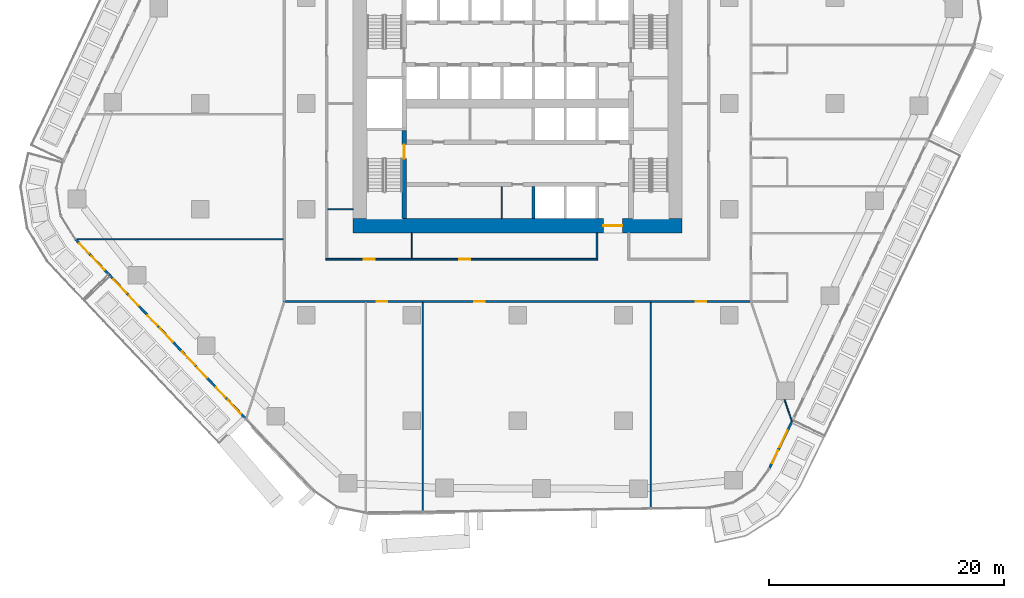
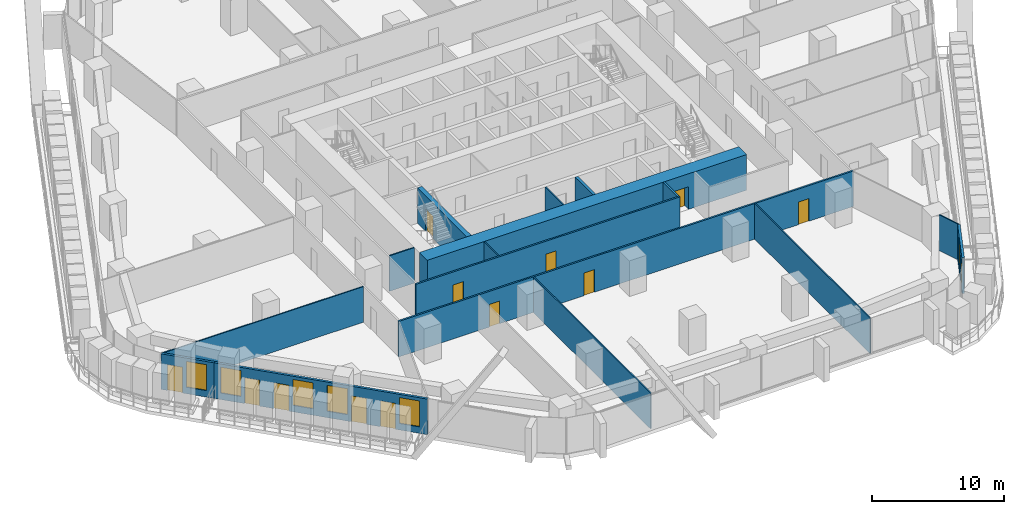
# One storey, part 12 of 24: 16 walls, 13 doors, 6 windows, 19 openings.
"""IFC4 building model written with IfcOpenShell, lengths in metres."""

from ifc_helpers import new_model, si_unit, direction, frame, frame_2d, origin, place, context, subcontext, project, spatial, rectangle, extrude, material, layer, layer_set, type_object, element, fill, save


model = new_model("IFC4")

# Units and contexts
model_context = context("Model", 3, precision=1e-05, world=origin(), true_north=direction((0.0, 1.0)))
body_context = subcontext(model_context, "Body", "Model", "MODEL_VIEW")
ifc_project = project(units=[si_unit("LENGTHUNIT", "METRE"), si_unit("AREAUNIT", "SQUARE_METRE"), si_unit("VOLUMEUNIT", "CUBIC_METRE"), si_unit("PLANEANGLEUNIT", "RADIAN"), si_unit("MASSUNIT", "GRAM", prefix="KILO")], contexts=[model_context])

# Site, building, storey
site_placement = place(None, origin())
site = spatial("IfcSite", under=ifc_project, at=site_placement, CompositionType="ELEMENT")
building_placement = place(site_placement, origin())
building = spatial("IfcBuilding", under=site, at=building_placement, Name="Dongbaek Canopy Tower", CompositionType="ELEMENT")
storey_placement = place(building_placement, frame((0.0, 0.0, 51.39990234375)))
storey = spatial("IfcBuildingStorey", under=building, at=storey_placement, Name="L08", CompositionType="ELEMENT", Elevation=51.39990234375)

# Wall, opening, door
ifc_material_1 = material(Name="Concrete C60/75", Category="concrete")
ifc_layer_1 = layer(ifc_material_1, 1.199951171875)
ifc_layer_set_1 = layer_set([ifc_layer_1], Name="Core outer wall 1200 Concrete C60/75")
wall_type_1 = type_object("IfcWallType", Name="Core outer wall 1200 Concrete C60/75", PredefinedType="SHEAR", material=ifc_layer_set_1)
wall_1_placement = place(storey_placement, frame((14.0, -10.39990234375, 0.0), z_axis=(0.0, 0.0, 1.0), x_axis=(-1.0, 0.0, 0.0)))
wall_1 = element("IfcWall", 1, at=wall_1_placement, inside=storey, type_object=wall_type_1, Name="Core wall", PredefinedType="SHEAR", context=body_context, shape_type="SweptSolid", body=[
    extrude(rectangle(XDim=28.0, YDim=1.199951171875, at=frame_2d((14.0, 0.0))), origin(), (0.0, 0.0, 1.0), 3.300048828125),
])
opening_1_placement = place(wall_1_placement, frame((5.10009765625, 0.0, 0.0)))
opening_1 = element("IfcOpeningElement", 2, at=opening_1_placement, cuts=wall_1, Name="Opening L08-D044", PredefinedType="OPENING", context=body_context, shape_type="SweptSolid", body=[
    extrude(rectangle(XDim=1.60009765625, YDim=2.10009765625, at=frame_2d((0.800048828125, 1.050048828125))), frame((0.0, 0.60986328125, 0.0), z_axis=(0.0, -1.0, 0.0), x_axis=(1.0, 0.0, 0.0)), (0.0, 0.0, 1.0), 1.219970703125),
])
ifc_material_2 = material(Name="Steel", Category="steel")
door_type_1 = type_object("IfcDoorType", Name="Core exit door 1600 x 2100", OperationType="DOUBLE_DOOR_SINGLE_SWING", PredefinedType="DOOR", material=ifc_material_2)
door_1_placement = place(opening_1_placement, origin())
door_1 = element("IfcDoor", 3, at=door_1_placement, inside=storey, type_object=door_type_1, Name="Core exit door", OperationType="DOUBLE_DOOR_SINGLE_SWING", OverallHeight=2.10009765625, OverallWidth=1.60009765625, PredefinedType="DOOR", context=body_context, shape_type="SweptSolid", body=[
    extrude(rectangle(XDim=1.60009765625, YDim=2.10009765625, at=frame_2d((0.800048828125, 1.050048828125))), frame((0.0, 0.02490234375, 0.0), z_axis=(0.0, -1.0, 0.0), x_axis=(1.0, 0.0, 0.0)), (0.0, 0.0, 1.0), 0.050048828125),
])
fill(opening_1, door_1)

# Wall, openings, doors
ifc_material_3 = material(Name="Gypsum board partition, steel stud, 2 x 15 mm fire board", Category="steel")
ifc_layer_2 = layer(ifc_material_3, 0.14990234375)
ifc_layer_set_2 = layer_set([ifc_layer_2], Name="Fire-rated partition 150 gypsum board")
wall_type_2 = type_object("IfcWallType", Name="Fire-rated partition 150 gypsum board", PredefinedType="PARTITIONING", material=ifc_layer_set_2)
wall_2_placement = place(storey_placement, frame((19.925048828125, -16.85009765625, 0.0), z_axis=(0.0, 0.0, 1.0), x_axis=(-1.0, 0.0, 0.0)))
wall_2 = element("IfcWall", 4, at=wall_2_placement, inside=storey, type_object=wall_type_2, Name="Corridor partition", PredefinedType="PARTITIONING", context=body_context, shape_type="SweptSolid", body=[
    extrude(rectangle(XDim=39.85009765625, YDim=0.14990234375, at=frame_2d((19.925048828125, 0.0))), origin(), (0.0, 0.0, 1.0), 3.300048828125),
])
opening_2_placement = place(wall_2_placement, frame((31.00830078125, 0.0, 0.0)))
opening_2 = element("IfcOpeningElement", 5, at=opening_2_placement, cuts=wall_2, Name="Opening L08-D003", PredefinedType="OPENING", context=body_context, shape_type="SweptSolid", body=[
    extrude(rectangle(XDim=0.89990234375, YDim=2.10009765625, at=frame_2d((0.449951171875, 1.050048828125))), frame((0.0, 0.0849609375, 0.0), z_axis=(0.0, -1.0, 0.0), x_axis=(1.0, 0.0, 0.0)), (0.0, 0.0, 1.0), 0.169921875),
])
opening_3_placement = place(wall_2_placement, frame((22.7041015625, 0.0, 0.0)))
opening_3 = element("IfcOpeningElement", 6, at=opening_3_placement, cuts=wall_2, Name="Opening L08-D004", PredefinedType="OPENING", context=body_context, shape_type="SweptSolid", body=[
    extrude(rectangle(XDim=0.89990234375, YDim=2.10009765625, at=frame_2d((0.449951171875, 1.050048828125))), frame((0.0, 0.0849609375, 0.0), z_axis=(0.0, -1.0, 0.0), x_axis=(1.0, 0.0, 0.0)), (0.0, 0.0, 1.0), 0.169921875),
])
opening_4_placement = place(wall_2_placement, frame((3.8876953125, 0.0, 0.0)))
opening_4 = element("IfcOpeningElement", 7, at=opening_4_placement, cuts=wall_2, Name="Opening L08-D005", PredefinedType="OPENING", context=body_context, shape_type="SweptSolid", body=[
    extrude(rectangle(XDim=0.89990234375, YDim=2.10009765625, at=frame_2d((0.449951171875, 1.050048828125))), frame((0.0, 0.0849609375, 0.0), z_axis=(0.0, -1.0, 0.0), x_axis=(1.0, 0.0, 0.0)), (0.0, 0.0, 1.0), 0.169921875),
])
ifc_material_4 = material(Name="Timber veneered door leaf", Category="wood")
door_type_2 = type_object("IfcDoorType", Name="Room door 900 x 2100", OperationType="SINGLE_SWING_LEFT", PredefinedType="DOOR", material=ifc_material_4)
door_2_placement = place(opening_2_placement, origin())
door_2 = element("IfcDoor", 8, at=door_2_placement, inside=storey, type_object=door_type_2, Name="Door L08-D003", OperationType="SINGLE_SWING_LEFT", OverallHeight=2.10009765625, OverallWidth=0.89990234375, PredefinedType="DOOR", context=body_context, shape_type="SweptSolid", body=[
    extrude(rectangle(XDim=0.89990234375, YDim=2.10009765625, at=frame_2d((0.449951171875, 1.050048828125))), frame((0.0, 0.02490234375, 0.0), z_axis=(0.0, -1.0, 0.0), x_axis=(1.0, 0.0, 0.0)), (0.0, 0.0, 1.0), 0.050048828125),
])
fill(opening_2, door_2)
door_3_placement = place(opening_3_placement, origin())
door_3 = element("IfcDoor", 9, at=door_3_placement, inside=storey, type_object=door_type_2, Name="Door L08-D004", OperationType="SINGLE_SWING_RIGHT", OverallHeight=2.10009765625, OverallWidth=0.89990234375, PredefinedType="DOOR", context=body_context, shape_type="SweptSolid", body=[
    extrude(rectangle(XDim=0.89990234375, YDim=2.10009765625, at=frame_2d((0.449951171875, 1.050048828125))), frame((0.0, 0.02490234375, 0.0), z_axis=(0.0, -1.0, 0.0), x_axis=(1.0, 0.0, 0.0)), (0.0, 0.0, 1.0), 0.050048828125),
])
fill(opening_3, door_3)
door_4_placement = place(opening_4_placement, origin())
door_4 = element("IfcDoor", 10, at=door_4_placement, inside=storey, type_object=door_type_2, Name="Door L08-D005", OperationType="SINGLE_SWING_LEFT", OverallHeight=2.10009765625, OverallWidth=0.89990234375, PredefinedType="DOOR", context=body_context, shape_type="SweptSolid", body=[
    extrude(rectangle(XDim=0.89990234375, YDim=2.10009765625, at=frame_2d((0.449951171875, 1.050048828125))), frame((0.0, 0.02490234375, 0.0), z_axis=(0.0, -1.0, 0.0), x_axis=(1.0, 0.0, 0.0)), (0.0, 0.0, 1.0), 0.050048828125),
])
fill(opening_4, door_4)

wall_3_placement = place(storey_placement, frame((-16.324951171875, -13.25, 0.0), z_axis=(0.0, 0.0, 1.0), x_axis=(1.0, 0.0, 0.0)))
wall_3 = element("IfcWall", 11, at=wall_3_placement, inside=storey, type_object=wall_type_2, Name="Corridor partition", PredefinedType="PARTITIONING", context=body_context, shape_type="SweptSolid", body=[
    extrude(rectangle(XDim=23.14990234375, YDim=0.14990234375, at=frame_2d((11.574951171875, 0.0))), origin(), (0.0, 0.0, 1.0), 3.300048828125),
])
opening_5_placement = place(wall_3_placement, frame((3.25, 0.0, 0.0)))
opening_5 = element("IfcOpeningElement", 12, at=opening_5_placement, cuts=wall_3, Name="Opening L08-D019", PredefinedType="OPENING", context=body_context, shape_type="SweptSolid", body=[
    extrude(rectangle(XDim=0.89990234375, YDim=2.10009765625, at=frame_2d((0.449951171875, 1.050048828125))), frame((0.0, 0.0849609375, 0.0), z_axis=(0.0, -1.0, 0.0), x_axis=(1.0, 0.0, 0.0)), (0.0, 0.0, 1.0), 0.169921875),
])
opening_6_placement = place(wall_3_placement, frame((11.375, 0.0, 0.0)))
opening_6 = element("IfcOpeningElement", 13, at=opening_6_placement, cuts=wall_3, Name="Opening L08-D020", PredefinedType="OPENING", context=body_context, shape_type="SweptSolid", body=[
    extrude(rectangle(XDim=0.89990234375, YDim=2.10009765625, at=frame_2d((0.449951171875, 1.050048828125))), frame((0.0, 0.0849609375, 0.0), z_axis=(0.0, -1.0, 0.0), x_axis=(1.0, 0.0, 0.0)), (0.0, 0.0, 1.0), 0.169921875),
])
door_5_placement = place(opening_5_placement, origin())
door_5 = element("IfcDoor", 14, at=door_5_placement, inside=storey, type_object=door_type_2, Name="Door L08-D019", OperationType="SINGLE_SWING_LEFT", OverallHeight=2.10009765625, OverallWidth=0.89990234375, PredefinedType="DOOR", context=body_context, shape_type="SweptSolid", body=[
    extrude(rectangle(XDim=0.89990234375, YDim=2.10009765625, at=frame_2d((0.449951171875, 1.050048828125))), frame((0.0, 0.02490234375, 0.0), z_axis=(0.0, -1.0, 0.0), x_axis=(1.0, 0.0, 0.0)), (0.0, 0.0, 1.0), 0.050048828125),
])
fill(opening_5, door_5)
door_6_placement = place(opening_6_placement, origin())
door_6 = element("IfcDoor", 15, at=door_6_placement, inside=storey, type_object=door_type_2, Name="Door L08-D020", OperationType="SINGLE_SWING_RIGHT", OverallHeight=2.10009765625, OverallWidth=0.89990234375, PredefinedType="DOOR", context=body_context, shape_type="SweptSolid", body=[
    extrude(rectangle(XDim=0.89990234375, YDim=2.10009765625, at=frame_2d((0.449951171875, 1.050048828125))), frame((0.0, 0.02490234375, 0.0), z_axis=(0.0, -1.0, 0.0), x_axis=(1.0, 0.0, 0.0)), (0.0, 0.0, 1.0), 0.050048828125),
])
fill(opening_6, door_6)

# Walls
wall_4_placement = place(storey_placement, frame((6.75, -13.175048828125, 0.0), z_axis=(0.0, 0.0, 1.0), x_axis=(0.0, 1.0, 0.0)))
element("IfcWall", 16, at=wall_4_placement, inside=storey, type_object=wall_type_2, Name="Corridor partition", PredefinedType="PARTITIONING", context=body_context, shape_type="SweptSolid", body=[
    extrude(rectangle(XDim=2.175048828125, YDim=0.14990234375, at=frame_2d((1.08740234375, 0.0))), origin(), (0.0, 0.0, 1.0), 3.300048828125),
])
ifc_material_5 = material(Name="Concrete C40/50", Category="concrete")
ifc_layer_3 = layer(ifc_material_5, 0.25)
ifc_layer_set_3 = layer_set([ifc_layer_3], Name="Lift shaft wall 250 Concrete C40/50")
wall_type_3 = type_object("IfcWallType", Name="Lift shaft wall 250 Concrete C40/50", PredefinedType="SOLIDWALL", material=ifc_layer_set_3)
wall_5_placement = place(storey_placement, frame((1.35009765625, -9.800048828125, 0.0), z_axis=(0.0, 0.0, 1.0), x_axis=(0.0, 1.0, 0.0)))
element("IfcWall", 17, at=wall_5_placement, inside=storey, type_object=wall_type_3, Name="Lift shaft wall", PredefinedType="SOLIDWALL", context=body_context, shape_type="SweptSolid", body=[
    extrude(rectangle(XDim=2.72509765625, YDim=0.25, at=frame_2d((1.362548828125, 0.0))), origin(), (0.0, 0.0, 1.0), 3.300048828125),
])
ifc_material_6 = material(Name="Gypsum board partition, steel stud, 2 x 12.5 mm board", Category="steel")
ifc_layer_4 = layer(ifc_material_6, 0.10009765625)
ifc_layer_set_4 = layer_set([ifc_layer_4], Name="Partition 100 gypsum board")
wall_type_4 = type_object("IfcWallType", Name="Partition 100 gypsum board", PredefinedType="PARTITIONING", material=ifc_layer_set_4)
wall_6_placement = place(storey_placement, frame((-37.593505859375, -11.54296875, 0.0), z_axis=(0.0, 0.0, 1.0), x_axis=(1.0, 0.0, 0.0)))
element("IfcWall", 18, at=wall_6_placement, inside=storey, type_object=wall_type_4, Name="Partition", PredefinedType="PARTITIONING", context=body_context, shape_type="SweptSolid", body=[
    extrude(rectangle(XDim=17.66845703125, YDim=0.10009765625, at=frame_2d((8.834228515625, 0.0))), origin(), (0.0, 0.0, 1.0), 3.300048828125),
])
wall_7_placement = place(storey_placement, frame((-16.175048828125, -9.0, 0.0), z_axis=(0.0, 0.0, 1.0), x_axis=(1.0, 0.0, 0.0)))
element("IfcWall", 19, at=wall_7_placement, inside=storey, type_object=wall_type_4, Name="Partition", PredefinedType="PARTITIONING", context=body_context, shape_type="SweptSolid", body=[
    extrude(rectangle(XDim=2.175048828125, YDim=0.10009765625, at=frame_2d((1.08740234375, 0.0))), origin(), (0.0, 0.0, 1.0), 3.300048828125),
])
wall_8_placement = place(storey_placement, frame((11.324951171875, -34.438232421875, 0.0), z_axis=(0.0, 0.0, 1.0), x_axis=(0.0, 1.0, 0.0)))
element("IfcWall", 20, at=wall_8_placement, inside=storey, type_object=wall_type_4, Name="Partition", PredefinedType="PARTITIONING", context=body_context, shape_type="SweptSolid", body=[
    extrude(rectangle(XDim=17.51318359375, YDim=0.10009765625, at=frame_2d((8.756591796875, 0.0))), origin(), (0.0, 0.0, 1.0), 3.300048828125),
])
wall_9_placement = place(storey_placement, frame((-8.0810546875, -34.721923828125, 0.0), z_axis=(0.0, 0.0, 1.0), x_axis=(0.0, 1.0, 0.0)))
element("IfcWall", 21, at=wall_9_placement, inside=storey, type_object=wall_type_4, Name="Partition", PredefinedType="PARTITIONING", context=body_context, shape_type="SweptSolid", body=[
    extrude(rectangle(XDim=17.796875, YDim=0.10009765625, at=frame_2d((8.8984375, 0.0))), origin(), (0.0, 0.0, 1.0), 3.300048828125),
])
wall_10_placement = place(storey_placement, frame((-9.0, -13.175048828125, 0.0), z_axis=(0.0, 0.0, 1.0), x_axis=(0.0, 1.0, 0.0)))
element("IfcWall", 22, at=wall_10_placement, inside=storey, type_object=wall_type_4, Name="Partition", PredefinedType="PARTITIONING", context=body_context, shape_type="SweptSolid", body=[
    extrude(rectangle(XDim=2.175048828125, YDim=0.10009765625, at=frame_2d((1.08740234375, 0.0))), origin(), (0.0, 0.0, 1.0), 3.300048828125),
])
wall_11_placement = place(storey_placement, frame((22.700927734375, -25.193115234375, 0.0), z_axis=(0.0, 0.0, 1.0), x_axis=(0.323521274284, -0.94622089656, 0.0)))
element("IfcWall", 23, at=wall_11_placement, inside=storey, type_object=wall_type_4, Name="Partition", PredefinedType="PARTITIONING", context=body_context, shape_type="SweptSolid", body=[
    extrude(rectangle(XDim=1.935546875, YDim=0.10009765625, at=frame_2d((0.9677734375, 0.0))), origin(), (0.0, 0.0, 1.0), 3.300048828125),
])
wall_12_placement = place(storey_placement, frame((-1.35009765625, -9.800048828125, 0.0), z_axis=(0.0, 0.0, 1.0), x_axis=(0.0, 1.0, 0.0)))
element("IfcWall", 24, at=wall_12_placement, inside=storey, type_object=wall_type_4, Name="Core partition", PredefinedType="PARTITIONING", context=body_context, shape_type="SweptSolid", body=[
    extrude(rectangle(XDim=2.72509765625, YDim=0.10009765625, at=frame_2d((1.362548828125, 0.0))), origin(), (0.0, 0.0, 1.0), 3.300048828125),
])

# Wall, opening, door
ifc_material_7 = material(Name="Concrete C60/75", Category="concrete")
ifc_layer_5 = layer(ifc_material_7, 0.39990234375)
ifc_layer_set_5 = layer_set([ifc_layer_5], Name="Stair wall 400 Concrete C60/75")
wall_type_5 = type_object("IfcWallType", Name="Stair wall 400 Concrete C60/75", PredefinedType="SHEAR", material=ifc_layer_set_5)
wall_13_placement = place(storey_placement, frame((-9.64990234375, -9.800048828125, 0.0), z_axis=(0.0, 0.0, 1.0), x_axis=(0.0, 1.0, 0.0)))
wall_13 = element("IfcWall", 25, at=wall_13_placement, inside=storey, type_object=wall_type_5, Name="Stair wall", PredefinedType="SHEAR", context=body_context, shape_type="SweptSolid", body=[
    extrude(rectangle(XDim=7.5, YDim=0.39990234375, at=frame_2d((3.75, 0.0))), origin(), (0.0, 0.0, 1.0), 3.300048828125),
])
opening_7_placement = place(wall_13_placement, frame((5.10009765625, 0.0, 0.0)))
opening_7 = element("IfcOpeningElement", 26, at=opening_7_placement, cuts=wall_13, Name="Opening L08-D053", PredefinedType="OPENING", context=body_context, shape_type="SweptSolid", body=[
    extrude(rectangle(XDim=1.199951171875, YDim=2.10009765625, at=frame_2d((0.60009765625, 1.050048828125))), frame((0.0, 0.2099609375, 0.0), z_axis=(0.0, -1.0, 0.0), x_axis=(1.0, 0.0, 0.0)), (0.0, 0.0, 1.0), 0.419921875),
])
ifc_material_8 = material(Name="Steel", Category="steel")
door_type_3 = type_object("IfcDoorType", Name="Stair door 1200 x 2100", OperationType="SINGLE_SWING_LEFT", PredefinedType="DOOR", material=ifc_material_8)
door_7_placement = place(opening_7_placement, origin())
door_7 = element("IfcDoor", 27, at=door_7_placement, inside=storey, type_object=door_type_3, Name="Stair D door", OperationType="SINGLE_SWING_LEFT", OverallHeight=2.10009765625, OverallWidth=1.199951171875, PredefinedType="DOOR", context=body_context, shape_type="SweptSolid", body=[
    extrude(rectangle(XDim=1.199951171875, YDim=2.10009765625, at=frame_2d((0.60009765625, 1.050048828125))), frame((0.0, 0.02490234375, 0.0), z_axis=(0.0, -1.0, 0.0), x_axis=(1.0, 0.0, 0.0)), (0.0, 0.0, 1.0), 0.050048828125),
])
fill(opening_7, door_7)

# Wall, openings, doors, windows
ifc_material_9 = material(Name="Aluminium window wall", Category="aluminium")
ifc_layer_6 = layer(ifc_material_9, 0.199951171875)
ifc_layer_set_6 = layer_set([ifc_layer_6], Name="Window wall 200")
wall_type_6 = type_object("IfcWallType", Name="Window wall 200", PredefinedType="SOLIDWALL", material=ifc_layer_set_6)
wall_14_placement = place(storey_placement, frame((-34.723876953125, -14.59814453125, 0.0), z_axis=(0.0, 0.0, 1.0), x_axis=(0.688093946104, -0.725621610301, 0.0)))
wall_14 = element("IfcWall", 28, at=wall_14_placement, inside=storey, type_object=wall_type_6, Name="Window wall L08 3", PredefinedType="SOLIDWALL", context=body_context, shape_type="SweptSolid", body=[
    extrude(rectangle(XDim=16.882080078125, YDim=0.199951171875, at=frame_2d((8.44091796875, 0.0))), origin(), (0.0, 0.0, 1.0), 3.300048828125),
])
opening_8_placement = place(wall_14_placement, frame((0.5, 0.0, 0.60009765625)))
opening_8 = element("IfcOpeningElement", 29, at=opening_8_placement, cuts=wall_14, Name="Opening W1", PredefinedType="OPENING", context=body_context, shape_type="SweptSolid", body=[
    extrude(rectangle(XDim=1.60009765625, YDim=2.39990234375, at=frame_2d((0.800048828125, 1.199951171875))), frame((0.0, 0.10986328125, 0.0), z_axis=(0.0, -1.0, 0.0), x_axis=(1.0, 0.0, 0.0)), (0.0, 0.0, 1.0), 0.219970703125),
])
opening_9_placement = place(wall_14_placement, frame((2.39990234375, 0.0, 0.0)))
opening_9 = element("IfcOpeningElement", 30, at=opening_9_placement, cuts=wall_14, Name="Opening L08-B13", PredefinedType="OPENING", context=body_context, shape_type="SweptSolid", body=[
    extrude(rectangle(XDim=1.199951171875, YDim=2.39990234375, at=frame_2d((0.60009765625, 1.199951171875))), frame((0.0, 0.10986328125, 0.0), z_axis=(0.0, -1.0, 0.0), x_axis=(1.0, 0.0, 0.0)), (0.0, 0.0, 1.0), 0.219970703125),
])
opening_10_placement = place(wall_14_placement, frame((6.220458984375, 0.0, 0.60009765625)))
opening_10 = element("IfcOpeningElement", 31, at=opening_10_placement, cuts=wall_14, Name="Opening W1", PredefinedType="OPENING", context=body_context, shape_type="SweptSolid", body=[
    extrude(rectangle(XDim=1.60009765625, YDim=2.39990234375, at=frame_2d((0.800048828125, 1.199951171875))), frame((0.0, 0.10986328125, 0.0), z_axis=(0.0, -1.0, 0.0), x_axis=(1.0, 0.0, 0.0)), (0.0, 0.0, 1.0), 0.219970703125),
])
opening_11_placement = place(wall_14_placement, frame((4.720458984375, 0.0, 0.0)))
opening_11 = element("IfcOpeningElement", 32, at=opening_11_placement, cuts=wall_14, Name="Opening L08-B14", PredefinedType="OPENING", context=body_context, shape_type="SweptSolid", body=[
    extrude(rectangle(XDim=1.199951171875, YDim=2.39990234375, at=frame_2d((0.60009765625, 1.199951171875))), frame((0.0, 0.10986328125, 0.0), z_axis=(0.0, -1.0, 0.0), x_axis=(1.0, 0.0, 0.0)), (0.0, 0.0, 1.0), 0.219970703125),
])
opening_12_placement = place(wall_14_placement, frame((8.941162109375, 0.0, 0.60009765625)))
opening_12 = element("IfcOpeningElement", 33, at=opening_12_placement, cuts=wall_14, Name="Opening W1", PredefinedType="OPENING", context=body_context, shape_type="SweptSolid", body=[
    extrude(rectangle(XDim=1.60009765625, YDim=2.39990234375, at=frame_2d((0.800048828125, 1.199951171875))), frame((0.0, 0.10986328125, 0.0), z_axis=(0.0, -1.0, 0.0), x_axis=(1.0, 0.0, 0.0)), (0.0, 0.0, 1.0), 0.219970703125),
])
opening_13_placement = place(wall_14_placement, frame((10.841064453125, 0.0, 0.0)))
opening_13 = element("IfcOpeningElement", 34, at=opening_13_placement, cuts=wall_14, Name="Opening L08-B15", PredefinedType="OPENING", context=body_context, shape_type="SweptSolid", body=[
    extrude(rectangle(XDim=1.199951171875, YDim=2.39990234375, at=frame_2d((0.60009765625, 1.199951171875))), frame((0.0, 0.10986328125, 0.0), z_axis=(0.0, -1.0, 0.0), x_axis=(1.0, 0.0, 0.0)), (0.0, 0.0, 1.0), 0.219970703125),
])
opening_14_placement = place(wall_14_placement, frame((14.66162109375, 0.0, 0.60009765625)))
opening_14 = element("IfcOpeningElement", 35, at=opening_14_placement, cuts=wall_14, Name="Opening W1", PredefinedType="OPENING", context=body_context, shape_type="SweptSolid", body=[
    extrude(rectangle(XDim=1.60009765625, YDim=2.39990234375, at=frame_2d((0.800048828125, 1.199951171875))), frame((0.0, 0.10986328125, 0.0), z_axis=(0.0, -1.0, 0.0), x_axis=(1.0, 0.0, 0.0)), (0.0, 0.0, 1.0), 0.219970703125),
])
opening_15_placement = place(wall_14_placement, frame((13.16162109375, 0.0, 0.0)))
opening_15 = element("IfcOpeningElement", 36, at=opening_15_placement, cuts=wall_14, Name="Opening L08-B16", PredefinedType="OPENING", context=body_context, shape_type="SweptSolid", body=[
    extrude(rectangle(XDim=1.199951171875, YDim=2.39990234375, at=frame_2d((0.60009765625, 1.199951171875))), frame((0.0, 0.10986328125, 0.0), z_axis=(0.0, -1.0, 0.0), x_axis=(1.0, 0.0, 0.0)), (0.0, 0.0, 1.0), 0.219970703125),
])
ifc_material_10 = material(Name="Clear glazing in aluminium frame", Category="aluminium")
door_type_4 = type_object("IfcDoorType", Name="Balcony door BD1 1200 x 2400", OperationType="SLIDING_TO_LEFT", PredefinedType="DOOR", material=ifc_material_10)
door_8_placement = place(opening_9_placement, origin())
door_8 = element("IfcDoor", 37, at=door_8_placement, inside=storey, type_object=door_type_4, Name="Balcony door L08-B13", OperationType="SLIDING_TO_LEFT", OverallHeight=2.39990234375, OverallWidth=1.199951171875, PredefinedType="DOOR", context=body_context, shape_type="SweptSolid", body=[
    extrude(rectangle(XDim=1.199951171875, YDim=2.39990234375, at=frame_2d((0.60009765625, 1.199951171875))), frame((0.0, 0.02490234375, 0.0), z_axis=(0.0, -1.0, 0.0), x_axis=(1.0, 0.0, 0.0)), (0.0, 0.0, 1.0), 0.050048828125),
])
fill(opening_9, door_8)
door_9_placement = place(opening_11_placement, origin())
door_9 = element("IfcDoor", 38, at=door_9_placement, inside=storey, type_object=door_type_4, Name="Balcony door L08-B14", OperationType="SLIDING_TO_LEFT", OverallHeight=2.39990234375, OverallWidth=1.199951171875, PredefinedType="DOOR", context=body_context, shape_type="SweptSolid", body=[
    extrude(rectangle(XDim=1.199951171875, YDim=2.39990234375, at=frame_2d((0.60009765625, 1.199951171875))), frame((0.0, 0.02490234375, 0.0), z_axis=(0.0, -1.0, 0.0), x_axis=(1.0, 0.0, 0.0)), (0.0, 0.0, 1.0), 0.050048828125),
])
fill(opening_11, door_9)
door_10_placement = place(opening_13_placement, origin())
door_10 = element("IfcDoor", 39, at=door_10_placement, inside=storey, type_object=door_type_4, Name="Balcony door L08-B15", OperationType="SLIDING_TO_LEFT", OverallHeight=2.39990234375, OverallWidth=1.199951171875, PredefinedType="DOOR", context=body_context, shape_type="SweptSolid", body=[
    extrude(rectangle(XDim=1.199951171875, YDim=2.39990234375, at=frame_2d((0.60009765625, 1.199951171875))), frame((0.0, 0.02490234375, 0.0), z_axis=(0.0, -1.0, 0.0), x_axis=(1.0, 0.0, 0.0)), (0.0, 0.0, 1.0), 0.050048828125),
])
fill(opening_13, door_10)
door_11_placement = place(opening_15_placement, origin())
door_11 = element("IfcDoor", 40, at=door_11_placement, inside=storey, type_object=door_type_4, Name="Balcony door L08-B16", OperationType="SLIDING_TO_LEFT", OverallHeight=2.39990234375, OverallWidth=1.199951171875, PredefinedType="DOOR", context=body_context, shape_type="SweptSolid", body=[
    extrude(rectangle(XDim=1.199951171875, YDim=2.39990234375, at=frame_2d((0.60009765625, 1.199951171875))), frame((0.0, 0.02490234375, 0.0), z_axis=(0.0, -1.0, 0.0), x_axis=(1.0, 0.0, 0.0)), (0.0, 0.0, 1.0), 0.050048828125),
])
fill(opening_15, door_11)
ifc_material_11 = material(Name="Clear glazing in aluminium frame", Category="aluminium")
window_type = type_object("IfcWindowType", Name="Window W1 1600 x 2400", PartitioningType="SINGLE_PANEL", PredefinedType="WINDOW", material=ifc_material_11)
window_1_placement = place(opening_8_placement, origin())
window_1 = element("IfcWindow", 41, at=window_1_placement, inside=storey, type_object=window_type, Name="Window L08 3.1", OverallHeight=2.39990234375, OverallWidth=1.60009765625, PartitioningType="SINGLE_PANEL", PredefinedType="WINDOW", context=body_context, shape_type="SweptSolid", body=[
    extrude(rectangle(XDim=1.60009765625, YDim=2.39990234375, at=frame_2d((0.800048828125, 1.199951171875))), frame((0.0, 0.030029296875, 0.0), z_axis=(0.0, -1.0, 0.0), x_axis=(1.0, 0.0, 0.0)), (0.0, 0.0, 1.0), 0.06005859375),
])
fill(opening_8, window_1)
window_2_placement = place(opening_10_placement, origin())
window_2 = element("IfcWindow", 42, at=window_2_placement, inside=storey, type_object=window_type, Name="Window L08 3.2", OverallHeight=2.39990234375, OverallWidth=1.60009765625, PartitioningType="SINGLE_PANEL", PredefinedType="WINDOW", context=body_context, shape_type="SweptSolid", body=[
    extrude(rectangle(XDim=1.60009765625, YDim=2.39990234375, at=frame_2d((0.800048828125, 1.199951171875))), frame((0.0, 0.030029296875, 0.0), z_axis=(0.0, -1.0, 0.0), x_axis=(1.0, 0.0, 0.0)), (0.0, 0.0, 1.0), 0.06005859375),
])
fill(opening_10, window_2)
window_3_placement = place(opening_12_placement, origin())
window_3 = element("IfcWindow", 43, at=window_3_placement, inside=storey, type_object=window_type, Name="Window L08 3.3", OverallHeight=2.39990234375, OverallWidth=1.60009765625, PartitioningType="SINGLE_PANEL", PredefinedType="WINDOW", context=body_context, shape_type="SweptSolid", body=[
    extrude(rectangle(XDim=1.60009765625, YDim=2.39990234375, at=frame_2d((0.800048828125, 1.199951171875))), frame((0.0, 0.030029296875, 0.0), z_axis=(0.0, -1.0, 0.0), x_axis=(1.0, 0.0, 0.0)), (0.0, 0.0, 1.0), 0.06005859375),
])
fill(opening_12, window_3)
window_4_placement = place(opening_14_placement, origin())
window_4 = element("IfcWindow", 44, at=window_4_placement, inside=storey, type_object=window_type, Name="Window L08 3.4", OverallHeight=2.39990234375, OverallWidth=1.60009765625, PartitioningType="SINGLE_PANEL", PredefinedType="WINDOW", context=body_context, shape_type="SweptSolid", body=[
    extrude(rectangle(XDim=1.60009765625, YDim=2.39990234375, at=frame_2d((0.800048828125, 1.199951171875))), frame((0.0, 0.030029296875, 0.0), z_axis=(0.0, -1.0, 0.0), x_axis=(1.0, 0.0, 0.0)), (0.0, 0.0, 1.0), 0.06005859375),
])
fill(opening_14, window_4)

# Wall, openings, door, window
wall_15_placement = place(storey_placement, frame((-37.62109375, -11.54296875, 0.0), z_axis=(0.0, 0.0, 1.0), x_axis=(0.688100005166, -0.725615864553, 0.0)))
wall_15 = element("IfcWall", 45, at=wall_15_placement, inside=storey, type_object=wall_type_6, Name="Window wall L08 6", PredefinedType="SOLIDWALL", context=body_context, shape_type="SweptSolid", body=[
    extrude(rectangle(XDim=4.21044921875, YDim=0.199951171875, at=frame_2d((2.105224609375, 0.0))), origin(), (0.0, 0.0, 1.0), 3.300048828125),
])
opening_16_placement = place(wall_15_placement, frame((2.0, 0.0, 0.60009765625)))
opening_16 = element("IfcOpeningElement", 46, at=opening_16_placement, cuts=wall_15, Name="Opening W1", PredefinedType="OPENING", context=body_context, shape_type="SweptSolid", body=[
    extrude(rectangle(XDim=1.60009765625, YDim=2.39990234375, at=frame_2d((0.800048828125, 1.199951171875))), frame((0.0, 0.10986328125, 0.0), z_axis=(0.0, -1.0, 0.0), x_axis=(1.0, 0.0, 0.0)), (0.0, 0.0, 1.0), 0.219970703125),
])
opening_17_placement = place(wall_15_placement, frame((0.5, 0.0, 0.0)))
opening_17 = element("IfcOpeningElement", 47, at=opening_17_placement, cuts=wall_15, Name="Opening L08-B17", PredefinedType="OPENING", context=body_context, shape_type="SweptSolid", body=[
    extrude(rectangle(XDim=1.199951171875, YDim=2.39990234375, at=frame_2d((0.60009765625, 1.199951171875))), frame((0.0, 0.10986328125, 0.0), z_axis=(0.0, -1.0, 0.0), x_axis=(1.0, 0.0, 0.0)), (0.0, 0.0, 1.0), 0.219970703125),
])
door_12_placement = place(opening_17_placement, origin())
door_12 = element("IfcDoor", 48, at=door_12_placement, inside=storey, type_object=door_type_4, Name="Balcony door L08-B17", OperationType="SLIDING_TO_LEFT", OverallHeight=2.39990234375, OverallWidth=1.199951171875, PredefinedType="DOOR", context=body_context, shape_type="SweptSolid", body=[
    extrude(rectangle(XDim=1.199951171875, YDim=2.39990234375, at=frame_2d((0.60009765625, 1.199951171875))), frame((0.0, 0.02490234375, 0.0), z_axis=(0.0, -1.0, 0.0), x_axis=(1.0, 0.0, 0.0)), (0.0, 0.0, 1.0), 0.050048828125),
])
fill(opening_17, door_12)
window_5_placement = place(opening_16_placement, origin())
window_5 = element("IfcWindow", 49, at=window_5_placement, inside=storey, type_object=window_type, Name="Window L08 6.1", OverallHeight=2.39990234375, OverallWidth=1.60009765625, PartitioningType="SINGLE_PANEL", PredefinedType="WINDOW", context=body_context, shape_type="SweptSolid", body=[
    extrude(rectangle(XDim=1.60009765625, YDim=2.39990234375, at=frame_2d((0.800048828125, 1.199951171875))), frame((0.0, 0.030029296875, 0.0), z_axis=(0.0, -1.0, 0.0), x_axis=(1.0, 0.0, 0.0)), (0.0, 0.0, 1.0), 0.06005859375),
])
fill(opening_16, window_5)

wall_16_placement = place(storey_placement, frame((21.40576171875, -31.047607421875, 0.0), z_axis=(0.0, 0.0, 1.0), x_axis=(0.435227364278, 0.900320577008, 0.0)))
wall_16 = element("IfcWall", 50, at=wall_16_placement, inside=storey, type_object=wall_type_6, Name="Window wall L08 7", PredefinedType="SOLIDWALL", context=body_context, shape_type="SweptSolid", body=[
    extrude(rectangle(XDim=4.438720703125, YDim=0.199951171875, at=frame_2d((2.21923828125, 0.0))), origin(), (0.0, 0.0, 1.0), 3.300048828125),
])
opening_18_placement = place(wall_16_placement, frame((2.0, 0.0, 0.60009765625)))
opening_18 = element("IfcOpeningElement", 51, at=opening_18_placement, cuts=wall_16, Name="Opening W1", PredefinedType="OPENING", context=body_context, shape_type="SweptSolid", body=[
    extrude(rectangle(XDim=1.60009765625, YDim=2.39990234375, at=frame_2d((0.800048828125, 1.199951171875))), frame((0.0, 0.10986328125, 0.0), z_axis=(0.0, -1.0, 0.0), x_axis=(1.0, 0.0, 0.0)), (0.0, 0.0, 1.0), 0.219970703125),
])
opening_19_placement = place(wall_16_placement, frame((0.5, 0.0, 0.0)))
opening_19 = element("IfcOpeningElement", 52, at=opening_19_placement, cuts=wall_16, Name="Opening L08-B24", PredefinedType="OPENING", context=body_context, shape_type="SweptSolid", body=[
    extrude(rectangle(XDim=1.199951171875, YDim=2.39990234375, at=frame_2d((0.60009765625, 1.199951171875))), frame((0.0, 0.10986328125, 0.0), z_axis=(0.0, -1.0, 0.0), x_axis=(1.0, 0.0, 0.0)), (0.0, 0.0, 1.0), 0.219970703125),
])
door_13_placement = place(opening_19_placement, origin())
door_13 = element("IfcDoor", 53, at=door_13_placement, inside=storey, type_object=door_type_4, Name="Balcony door L08-B24", OperationType="SLIDING_TO_LEFT", OverallHeight=2.39990234375, OverallWidth=1.199951171875, PredefinedType="DOOR", context=body_context, shape_type="SweptSolid", body=[
    extrude(rectangle(XDim=1.199951171875, YDim=2.39990234375, at=frame_2d((0.60009765625, 1.199951171875))), frame((0.0, 0.02490234375, 0.0), z_axis=(0.0, -1.0, 0.0), x_axis=(1.0, 0.0, 0.0)), (0.0, 0.0, 1.0), 0.050048828125),
])
fill(opening_19, door_13)
window_6_placement = place(opening_18_placement, origin())
window_6 = element("IfcWindow", 54, at=window_6_placement, inside=storey, type_object=window_type, Name="Window L08 7.1", OverallHeight=2.39990234375, OverallWidth=1.60009765625, PartitioningType="SINGLE_PANEL", PredefinedType="WINDOW", context=body_context, shape_type="SweptSolid", body=[
    extrude(rectangle(XDim=1.60009765625, YDim=2.39990234375, at=frame_2d((0.800048828125, 1.199951171875))), frame((0.0, 0.030029296875, 0.0), z_axis=(0.0, -1.0, 0.0), x_axis=(1.0, 0.0, 0.0)), (0.0, 0.0, 1.0), 0.06005859375),
])
fill(opening_18, window_6)

save(model, "model.ifc")
